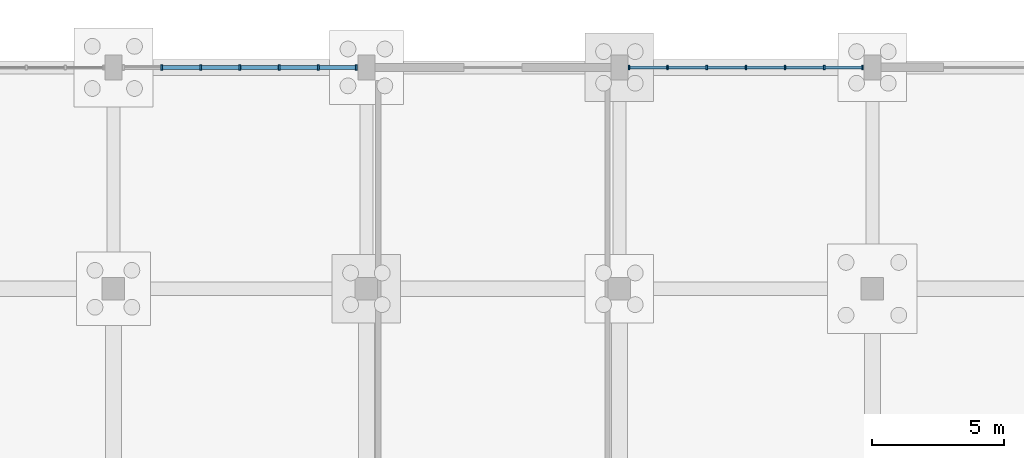
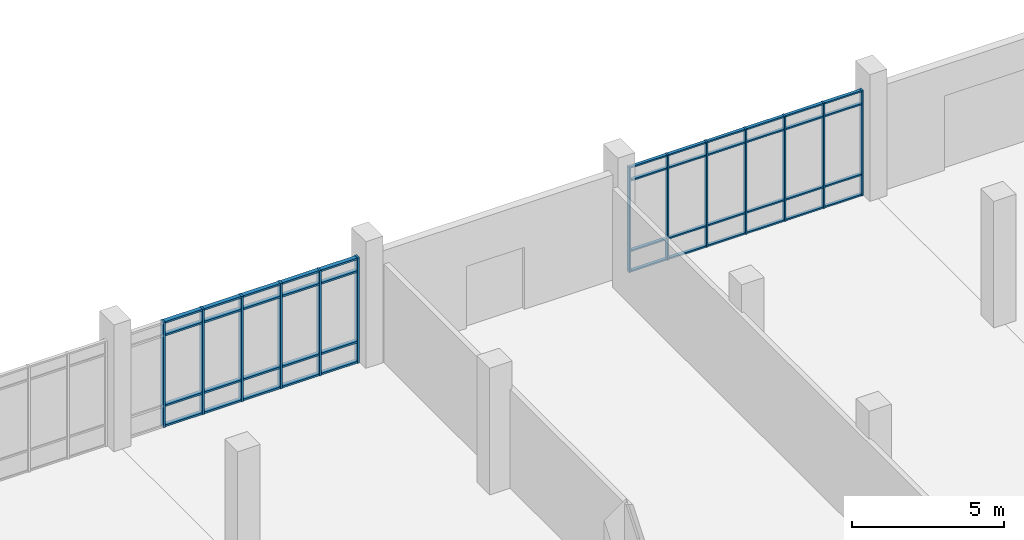
# One storey, part 68 of 136: 57 members, 2 elements without a shape of their own.
"""IFC4 building model written with IfcOpenShell, lengths in metres."""

from ifc_helpers import new_model, si_unit, direction, frame, origin, origin_2d, place, context, subcontext, project, spatial, rectangle, extrude, material, material_profile, profile_set, type_object, element, aggregate, save


model = new_model("IFC4")

# Units and contexts
model_context = context("Model", 3, precision=1e-05, world=origin(), true_north=direction((0.0, 1.0)))
body_context = subcontext(model_context, "Body", "Model", "MODEL_VIEW")
ifc_project = project(units=[si_unit("LENGTHUNIT", "METRE"), si_unit("AREAUNIT", "SQUARE_METRE"), si_unit("VOLUMEUNIT", "CUBIC_METRE"), si_unit("PLANEANGLEUNIT", "RADIAN"), si_unit("MASSUNIT", "GRAM", prefix="KILO")], contexts=[model_context])

# Site, building, storey
site_placement = place(None, origin())
site = spatial("IfcSite", under=ifc_project, at=site_placement, CompositionType="ELEMENT")
building_placement = place(site_placement, origin())
building = spatial("IfcBuilding", under=site, at=building_placement, Name="Oolite Switchyard Hospital", CompositionType="ELEMENT")
storey_placement = place(building_placement, origin())
storey = spatial("IfcBuildingStorey", under=building, at=storey_placement, Name="L00", CompositionType="ELEMENT", Elevation=0.0)

# Curtain wall, members
ifc_material_1 = material(Name="Thermally broken aluminum frame with laminated impact glazing", Category="aluminium")
curtain_wall_type = type_object("IfcCurtainWallType", Name="CW-UNIT-96X51", PredefinedType="USERDEFINED", material=ifc_material_1)
curtain_wall_1_placement = place(storey_placement, origin())
curtain_wall_1 = element("IfcCurtainWall", 1, at=curtain_wall_1_placement, inside=storey, type_object=curtain_wall_type, Name="L00 Unitised Curtain Wall 48", ObjectType="UNITISED", PredefinedType="USERDEFINED")
ifc_material_2 = material(Name="Aluminium 6063-T6", Category="aluminium")
ifc_material_profile_1 = material_profile(ifc_material_2, rectangle(XDim=0.159912109375, YDim=0.06005859375, at=origin_2d()), Name="CWM60X160")
ifc_profile_set_1 = profile_set([ifc_material_profile_1], Name="Aluminium 6063-T6")
member_type_1 = type_object("IfcMemberType", Name="CW-MUL-180", PredefinedType="MULLION", material=ifc_profile_set_1)
member_1_placement = place(storey_placement, frame((48.3701171875, 134.39990234375, 0.0), z_axis=(0.0, 0.0, 1.0), x_axis=(0.0, 1.0, 0.0)))
member_1 = element("IfcMember", 2, at=member_1_placement, type_object=member_type_1, Name="CW-01 mullion 1", PredefinedType="MULLION", context=body_context, shape_type="SweptSolid", body=[
    extrude(rectangle(XDim=0.159912109375, YDim=0.06005859375, at=origin_2d()), origin(), (0.0, 0.0, 1.0), 4.239990234375),
])
member_2_placement = place(storey_placement, frame((49.82666015625, 134.39990234375, 0.0), z_axis=(0.0, 0.0, 1.0), x_axis=(0.0, 1.0, 0.0)))
member_2 = element("IfcMember", 3, at=member_2_placement, type_object=member_type_1, Name="CW-01 mullion 2", PredefinedType="MULLION", context=body_context, shape_type="SweptSolid", body=[
    extrude(rectangle(XDim=0.159912109375, YDim=0.06005859375, at=origin_2d()), origin(), (0.0, 0.0, 1.0), 4.239990234375),
])
member_3_placement = place(storey_placement, frame((51.313232421875, 134.39990234375, 0.0), z_axis=(0.0, 0.0, 1.0), x_axis=(0.0, 1.0, 0.0)))
member_3 = element("IfcMember", 4, at=member_3_placement, type_object=member_type_1, Name="CW-01 mullion 3", PredefinedType="MULLION", context=body_context, shape_type="SweptSolid", body=[
    extrude(rectangle(XDim=0.159912109375, YDim=0.06005859375, at=origin_2d()), origin(), (0.0, 0.0, 1.0), 4.239990234375),
])
member_4_placement = place(storey_placement, frame((52.800048828125, 134.39990234375, 0.0), z_axis=(0.0, 0.0, 1.0), x_axis=(0.0, 1.0, 0.0)))
member_4 = element("IfcMember", 5, at=member_4_placement, type_object=member_type_1, Name="CW-01 mullion 4", PredefinedType="MULLION", context=body_context, shape_type="SweptSolid", body=[
    extrude(rectangle(XDim=0.159912109375, YDim=0.06005859375, at=origin_2d()), origin(), (0.0, 0.0, 1.0), 4.239990234375),
])
member_5_placement = place(storey_placement, frame((54.28662109375, 134.39990234375, 0.0), z_axis=(0.0, 0.0, 1.0), x_axis=(0.0, 1.0, 0.0)))
member_5 = element("IfcMember", 6, at=member_5_placement, type_object=member_type_1, Name="CW-01 mullion 5", PredefinedType="MULLION", context=body_context, shape_type="SweptSolid", body=[
    extrude(rectangle(XDim=0.159912109375, YDim=0.06005859375, at=origin_2d()), origin(), (0.0, 0.0, 1.0), 4.239990234375),
])
member_6_placement = place(storey_placement, frame((55.7734375, 134.39990234375, 0.0), z_axis=(0.0, 0.0, 1.0), x_axis=(0.0, 1.0, 0.0)))
member_6 = element("IfcMember", 7, at=member_6_placement, type_object=member_type_1, Name="CW-01 mullion 6", PredefinedType="MULLION", context=body_context, shape_type="SweptSolid", body=[
    extrude(rectangle(XDim=0.159912109375, YDim=0.06005859375, at=origin_2d()), origin(), (0.0, 0.0, 1.0), 4.239990234375),
])
member_7_placement = place(storey_placement, frame((57.22998046875, 134.39990234375, 0.0), z_axis=(0.0, 0.0, 1.0), x_axis=(0.0, 1.0, 0.0)))
member_7 = element("IfcMember", 8, at=member_7_placement, type_object=member_type_1, Name="CW-01 mullion 7", PredefinedType="MULLION", context=body_context, shape_type="SweptSolid", body=[
    extrude(rectangle(XDim=0.159912109375, YDim=0.06005859375, at=origin_2d()), origin(), (0.0, 0.0, 1.0), 4.239990234375),
])

curtain_wall_2_placement = place(storey_placement, origin())
curtain_wall_2 = element("IfcCurtainWall", 9, at=curtain_wall_2_placement, inside=storey, type_object=curtain_wall_type, Name="L00 Unitised Curtain Wall 47", ObjectType="UNITISED", PredefinedType="USERDEFINED")
ifc_material_profile_2 = material_profile(ifc_material_2, rectangle(XDim=0.199951171875, YDim=0.074951171875, at=origin_2d()), Name="CWM75X200")
ifc_profile_set_2 = profile_set([ifc_material_profile_2], Name="Aluminium 6063-T6")
member_type_2 = type_object("IfcMemberType", Name="CW-MUL-260", PredefinedType="MULLION", material=ifc_profile_set_2)
member_8_placement = place(storey_placement, frame((30.626708984375, 134.39990234375, 0.0), z_axis=(0.0, 0.0, 1.0), x_axis=(0.0, 1.0, 0.0)))
member_8 = element("IfcMember", 10, at=member_8_placement, type_object=member_type_2, Name="CW-01 mullion 2", PredefinedType="MULLION", context=body_context, shape_type="SweptSolid", body=[
    extrude(rectangle(XDim=0.199951171875, YDim=0.074951171875, at=origin_2d()), origin(), (0.0, 0.0, 1.0), 4.239990234375),
])
member_9_placement = place(storey_placement, frame((32.11328125, 134.39990234375, 0.0), z_axis=(0.0, 0.0, 1.0), x_axis=(0.0, 1.0, 0.0)))
member_9 = element("IfcMember", 11, at=member_9_placement, type_object=member_type_2, Name="CW-01 mullion 3", PredefinedType="MULLION", context=body_context, shape_type="SweptSolid", body=[
    extrude(rectangle(XDim=0.199951171875, YDim=0.074951171875, at=origin_2d()), origin(), (0.0, 0.0, 1.0), 4.239990234375),
])
member_10_placement = place(storey_placement, frame((33.60009765625, 134.39990234375, 0.0), z_axis=(0.0, 0.0, 1.0), x_axis=(0.0, 1.0, 0.0)))
member_10 = element("IfcMember", 12, at=member_10_placement, type_object=member_type_2, Name="CW-01 mullion 4", PredefinedType="MULLION", context=body_context, shape_type="SweptSolid", body=[
    extrude(rectangle(XDim=0.199951171875, YDim=0.074951171875, at=origin_2d()), origin(), (0.0, 0.0, 1.0), 4.239990234375),
])
member_11_placement = place(storey_placement, frame((35.086669921875, 134.39990234375, 0.0), z_axis=(0.0, 0.0, 1.0), x_axis=(0.0, 1.0, 0.0)))
member_11 = element("IfcMember", 13, at=member_11_placement, type_object=member_type_2, Name="CW-01 mullion 5", PredefinedType="MULLION", context=body_context, shape_type="SweptSolid", body=[
    extrude(rectangle(XDim=0.199951171875, YDim=0.074951171875, at=origin_2d()), origin(), (0.0, 0.0, 1.0), 4.239990234375),
])
member_12_placement = place(storey_placement, frame((36.5732421875, 134.39990234375, 0.0), z_axis=(0.0, 0.0, 1.0), x_axis=(0.0, 1.0, 0.0)))
member_12 = element("IfcMember", 14, at=member_12_placement, type_object=member_type_2, Name="CW-01 mullion 6", PredefinedType="MULLION", context=body_context, shape_type="SweptSolid", body=[
    extrude(rectangle(XDim=0.199951171875, YDim=0.074951171875, at=origin_2d()), origin(), (0.0, 0.0, 1.0), 4.239990234375),
])
member_13_placement = place(storey_placement, frame((38.0224609375, 134.39990234375, 0.0), z_axis=(0.0, 0.0, 1.0), x_axis=(0.0, 1.0, 0.0)))
member_13 = element("IfcMember", 15, at=member_13_placement, type_object=member_type_2, Name="CW-01 mullion 7", PredefinedType="MULLION", context=body_context, shape_type="SweptSolid", body=[
    extrude(rectangle(XDim=0.199951171875, YDim=0.074951171875, at=origin_2d()), origin(), (0.0, 0.0, 1.0), 4.239990234375),
])

# Member
ifc_material_profile_3 = material_profile(ifc_material_2, rectangle(XDim=0.1201171875, YDim=0.06005859375, at=origin_2d()), Name="CWT60X120")
ifc_profile_set_3 = profile_set([ifc_material_profile_3], Name="Aluminium 6063-T6")
member_type_3 = type_object("IfcMemberType", Name="CW-TRN-150", PredefinedType="USERDEFINED", material=ifc_profile_set_3)
member_14_placement = place(storey_placement, frame((48.39990234375, 134.39990234375, 0.030029296875), z_axis=(1.0, 0.0, 0.0), x_axis=(0.0, 1.0, 0.0)))
member_14 = element("IfcMember", 16, at=member_14_placement, type_object=member_type_3, Name="CW-01 transom 1.1", ObjectType="TRANSOM", PredefinedType="USERDEFINED", context=body_context, shape_type="SweptSolid", body=[
    extrude(rectangle(XDim=0.1201171875, YDim=0.06005859375, at=origin_2d()), origin(), (0.0, 0.0, 1.0), 1.396728515625),
])

member_15_placement = place(storey_placement, frame((48.39990234375, 134.39990234375, 0.85009765625), z_axis=(1.0, 0.0, 0.0), x_axis=(0.0, 1.0, 0.0)))
member_15 = element("IfcMember", 17, at=member_15_placement, type_object=member_type_3, Name="CW-01 transom 1.2", ObjectType="TRANSOM", PredefinedType="USERDEFINED", context=body_context, shape_type="SweptSolid", body=[
    extrude(rectangle(XDim=0.1201171875, YDim=0.06005859375, at=origin_2d()), origin(), (0.0, 0.0, 1.0), 1.396728515625),
])

member_16_placement = place(storey_placement, frame((48.39990234375, 134.39990234375, 3.68994140625), z_axis=(1.0, 0.0, 0.0), x_axis=(0.0, 1.0, 0.0)))
member_16 = element("IfcMember", 18, at=member_16_placement, type_object=member_type_3, Name="CW-01 transom 1.3", ObjectType="TRANSOM", PredefinedType="USERDEFINED", context=body_context, shape_type="SweptSolid", body=[
    extrude(rectangle(XDim=0.1201171875, YDim=0.06005859375, at=origin_2d()), origin(), (0.0, 0.0, 1.0), 1.396728515625),
])

member_17_placement = place(storey_placement, frame((48.39990234375, 134.39990234375, 4.2099609375), z_axis=(1.0, 0.0, 0.0), x_axis=(0.0, 1.0, 0.0)))
member_17 = element("IfcMember", 19, at=member_17_placement, type_object=member_type_3, Name="CW-01 transom 1.4", ObjectType="TRANSOM", PredefinedType="USERDEFINED", context=body_context, shape_type="SweptSolid", body=[
    extrude(rectangle(XDim=0.1201171875, YDim=0.06005859375, at=origin_2d()), origin(), (0.0, 0.0, 1.0), 1.396728515625),
])

member_18_placement = place(storey_placement, frame((49.856689453125, 134.39990234375, 0.030029296875), z_axis=(1.0, 0.0, 0.0), x_axis=(0.0, 1.0, 0.0)))
member_18 = element("IfcMember", 20, at=member_18_placement, type_object=member_type_3, Name="CW-01 transom 2.1", ObjectType="TRANSOM", PredefinedType="USERDEFINED", context=body_context, shape_type="SweptSolid", body=[
    extrude(rectangle(XDim=0.1201171875, YDim=0.06005859375, at=origin_2d()), origin(), (0.0, 0.0, 1.0), 1.4267578125),
])

member_19_placement = place(storey_placement, frame((49.856689453125, 134.39990234375, 0.85009765625), z_axis=(1.0, 0.0, 0.0), x_axis=(0.0, 1.0, 0.0)))
member_19 = element("IfcMember", 21, at=member_19_placement, type_object=member_type_3, Name="CW-01 transom 2.2", ObjectType="TRANSOM", PredefinedType="USERDEFINED", context=body_context, shape_type="SweptSolid", body=[
    extrude(rectangle(XDim=0.1201171875, YDim=0.06005859375, at=origin_2d()), origin(), (0.0, 0.0, 1.0), 1.4267578125),
])

member_20_placement = place(storey_placement, frame((49.856689453125, 134.39990234375, 3.68994140625), z_axis=(1.0, 0.0, 0.0), x_axis=(0.0, 1.0, 0.0)))
member_20 = element("IfcMember", 22, at=member_20_placement, type_object=member_type_3, Name="CW-01 transom 2.3", ObjectType="TRANSOM", PredefinedType="USERDEFINED", context=body_context, shape_type="SweptSolid", body=[
    extrude(rectangle(XDim=0.1201171875, YDim=0.06005859375, at=origin_2d()), origin(), (0.0, 0.0, 1.0), 1.4267578125),
])

member_21_placement = place(storey_placement, frame((49.856689453125, 134.39990234375, 4.2099609375), z_axis=(1.0, 0.0, 0.0), x_axis=(0.0, 1.0, 0.0)))
member_21 = element("IfcMember", 23, at=member_21_placement, type_object=member_type_3, Name="CW-01 transom 2.4", ObjectType="TRANSOM", PredefinedType="USERDEFINED", context=body_context, shape_type="SweptSolid", body=[
    extrude(rectangle(XDim=0.1201171875, YDim=0.06005859375, at=origin_2d()), origin(), (0.0, 0.0, 1.0), 1.4267578125),
])

member_22_placement = place(storey_placement, frame((51.34326171875, 134.39990234375, 0.030029296875), z_axis=(1.0, 0.0, 0.0), x_axis=(0.0, 1.0, 0.0)))
member_22 = element("IfcMember", 24, at=member_22_placement, type_object=member_type_3, Name="CW-01 transom 3.1", ObjectType="TRANSOM", PredefinedType="USERDEFINED", context=body_context, shape_type="SweptSolid", body=[
    extrude(rectangle(XDim=0.1201171875, YDim=0.06005859375, at=origin_2d()), origin(), (0.0, 0.0, 1.0), 1.4267578125),
])

member_23_placement = place(storey_placement, frame((51.34326171875, 134.39990234375, 0.85009765625), z_axis=(1.0, 0.0, 0.0), x_axis=(0.0, 1.0, 0.0)))
member_23 = element("IfcMember", 25, at=member_23_placement, type_object=member_type_3, Name="CW-01 transom 3.2", ObjectType="TRANSOM", PredefinedType="USERDEFINED", context=body_context, shape_type="SweptSolid", body=[
    extrude(rectangle(XDim=0.1201171875, YDim=0.06005859375, at=origin_2d()), origin(), (0.0, 0.0, 1.0), 1.4267578125),
])

member_24_placement = place(storey_placement, frame((51.34326171875, 134.39990234375, 3.68994140625), z_axis=(1.0, 0.0, 0.0), x_axis=(0.0, 1.0, 0.0)))
member_24 = element("IfcMember", 26, at=member_24_placement, type_object=member_type_3, Name="CW-01 transom 3.3", ObjectType="TRANSOM", PredefinedType="USERDEFINED", context=body_context, shape_type="SweptSolid", body=[
    extrude(rectangle(XDim=0.1201171875, YDim=0.06005859375, at=origin_2d()), origin(), (0.0, 0.0, 1.0), 1.4267578125),
])

member_25_placement = place(storey_placement, frame((51.34326171875, 134.39990234375, 4.2099609375), z_axis=(1.0, 0.0, 0.0), x_axis=(0.0, 1.0, 0.0)))
member_25 = element("IfcMember", 27, at=member_25_placement, type_object=member_type_3, Name="CW-01 transom 3.4", ObjectType="TRANSOM", PredefinedType="USERDEFINED", context=body_context, shape_type="SweptSolid", body=[
    extrude(rectangle(XDim=0.1201171875, YDim=0.06005859375, at=origin_2d()), origin(), (0.0, 0.0, 1.0), 1.4267578125),
])

member_26_placement = place(storey_placement, frame((52.830078125, 134.39990234375, 0.030029296875), z_axis=(1.0, 0.0, 0.0), x_axis=(0.0, 1.0, 0.0)))
member_26 = element("IfcMember", 28, at=member_26_placement, type_object=member_type_3, Name="CW-01 transom 4.1", ObjectType="TRANSOM", PredefinedType="USERDEFINED", context=body_context, shape_type="SweptSolid", body=[
    extrude(rectangle(XDim=0.1201171875, YDim=0.06005859375, at=origin_2d()), origin(), (0.0, 0.0, 1.0), 1.426513671875),
])

member_27_placement = place(storey_placement, frame((52.830078125, 134.39990234375, 0.85009765625), z_axis=(1.0, 0.0, 0.0), x_axis=(0.0, 1.0, 0.0)))
member_27 = element("IfcMember", 29, at=member_27_placement, type_object=member_type_3, Name="CW-01 transom 4.2", ObjectType="TRANSOM", PredefinedType="USERDEFINED", context=body_context, shape_type="SweptSolid", body=[
    extrude(rectangle(XDim=0.1201171875, YDim=0.06005859375, at=origin_2d()), origin(), (0.0, 0.0, 1.0), 1.426513671875),
])

member_28_placement = place(storey_placement, frame((52.830078125, 134.39990234375, 3.68994140625), z_axis=(1.0, 0.0, 0.0), x_axis=(0.0, 1.0, 0.0)))
member_28 = element("IfcMember", 30, at=member_28_placement, type_object=member_type_3, Name="CW-01 transom 4.3", ObjectType="TRANSOM", PredefinedType="USERDEFINED", context=body_context, shape_type="SweptSolid", body=[
    extrude(rectangle(XDim=0.1201171875, YDim=0.06005859375, at=origin_2d()), origin(), (0.0, 0.0, 1.0), 1.426513671875),
])

member_29_placement = place(storey_placement, frame((52.830078125, 134.39990234375, 4.2099609375), z_axis=(1.0, 0.0, 0.0), x_axis=(0.0, 1.0, 0.0)))
member_29 = element("IfcMember", 31, at=member_29_placement, type_object=member_type_3, Name="CW-01 transom 4.4", ObjectType="TRANSOM", PredefinedType="USERDEFINED", context=body_context, shape_type="SweptSolid", body=[
    extrude(rectangle(XDim=0.1201171875, YDim=0.06005859375, at=origin_2d()), origin(), (0.0, 0.0, 1.0), 1.426513671875),
])

member_30_placement = place(storey_placement, frame((54.316650390625, 134.39990234375, 0.030029296875), z_axis=(1.0, 0.0, 0.0), x_axis=(0.0, 1.0, 0.0)))
member_30 = element("IfcMember", 32, at=member_30_placement, type_object=member_type_3, Name="CW-01 transom 5.1", ObjectType="TRANSOM", PredefinedType="USERDEFINED", context=body_context, shape_type="SweptSolid", body=[
    extrude(rectangle(XDim=0.1201171875, YDim=0.06005859375, at=origin_2d()), origin(), (0.0, 0.0, 1.0), 1.4267578125),
])

member_31_placement = place(storey_placement, frame((54.316650390625, 134.39990234375, 0.85009765625), z_axis=(1.0, 0.0, 0.0), x_axis=(0.0, 1.0, 0.0)))
member_31 = element("IfcMember", 33, at=member_31_placement, type_object=member_type_3, Name="CW-01 transom 5.2", ObjectType="TRANSOM", PredefinedType="USERDEFINED", context=body_context, shape_type="SweptSolid", body=[
    extrude(rectangle(XDim=0.1201171875, YDim=0.06005859375, at=origin_2d()), origin(), (0.0, 0.0, 1.0), 1.4267578125),
])

member_32_placement = place(storey_placement, frame((54.316650390625, 134.39990234375, 3.68994140625), z_axis=(1.0, 0.0, 0.0), x_axis=(0.0, 1.0, 0.0)))
member_32 = element("IfcMember", 34, at=member_32_placement, type_object=member_type_3, Name="CW-01 transom 5.3", ObjectType="TRANSOM", PredefinedType="USERDEFINED", context=body_context, shape_type="SweptSolid", body=[
    extrude(rectangle(XDim=0.1201171875, YDim=0.06005859375, at=origin_2d()), origin(), (0.0, 0.0, 1.0), 1.4267578125),
])

member_33_placement = place(storey_placement, frame((54.316650390625, 134.39990234375, 4.2099609375), z_axis=(1.0, 0.0, 0.0), x_axis=(0.0, 1.0, 0.0)))
member_33 = element("IfcMember", 35, at=member_33_placement, type_object=member_type_3, Name="CW-01 transom 5.4", ObjectType="TRANSOM", PredefinedType="USERDEFINED", context=body_context, shape_type="SweptSolid", body=[
    extrude(rectangle(XDim=0.1201171875, YDim=0.06005859375, at=origin_2d()), origin(), (0.0, 0.0, 1.0), 1.4267578125),
])

member_34_placement = place(storey_placement, frame((55.80322265625, 134.39990234375, 0.030029296875), z_axis=(1.0, 0.0, 0.0), x_axis=(0.0, 1.0, 0.0)))
member_34 = element("IfcMember", 36, at=member_34_placement, type_object=member_type_3, Name="CW-01 transom 6.1", ObjectType="TRANSOM", PredefinedType="USERDEFINED", context=body_context, shape_type="SweptSolid", body=[
    extrude(rectangle(XDim=0.1201171875, YDim=0.06005859375, at=origin_2d()), origin(), (0.0, 0.0, 1.0), 1.396728515625),
])

member_35_placement = place(storey_placement, frame((55.80322265625, 134.39990234375, 0.85009765625), z_axis=(1.0, 0.0, 0.0), x_axis=(0.0, 1.0, 0.0)))
member_35 = element("IfcMember", 37, at=member_35_placement, type_object=member_type_3, Name="CW-01 transom 6.2", ObjectType="TRANSOM", PredefinedType="USERDEFINED", context=body_context, shape_type="SweptSolid", body=[
    extrude(rectangle(XDim=0.1201171875, YDim=0.06005859375, at=origin_2d()), origin(), (0.0, 0.0, 1.0), 1.396728515625),
])

member_36_placement = place(storey_placement, frame((55.80322265625, 134.39990234375, 3.68994140625), z_axis=(1.0, 0.0, 0.0), x_axis=(0.0, 1.0, 0.0)))
member_36 = element("IfcMember", 38, at=member_36_placement, type_object=member_type_3, Name="CW-01 transom 6.3", ObjectType="TRANSOM", PredefinedType="USERDEFINED", context=body_context, shape_type="SweptSolid", body=[
    extrude(rectangle(XDim=0.1201171875, YDim=0.06005859375, at=origin_2d()), origin(), (0.0, 0.0, 1.0), 1.396728515625),
])

member_37_placement = place(storey_placement, frame((55.80322265625, 134.39990234375, 4.2099609375), z_axis=(1.0, 0.0, 0.0), x_axis=(0.0, 1.0, 0.0)))
member_37 = element("IfcMember", 39, at=member_37_placement, type_object=member_type_3, Name="CW-01 transom 6.4", ObjectType="TRANSOM", PredefinedType="USERDEFINED", context=body_context, shape_type="SweptSolid", body=[
    extrude(rectangle(XDim=0.1201171875, YDim=0.06005859375, at=origin_2d()), origin(), (0.0, 0.0, 1.0), 1.396728515625),
])

aggregate(curtain_wall_1, [member_1, member_2, member_3, member_4, member_5, member_6, member_7, member_14, member_15, member_16, member_17, member_18, member_19, member_20, member_21, member_22, member_23, member_24, member_25, member_26, member_27, member_28, member_29, member_30, member_31, member_32, member_33, member_34, member_35, member_36, member_37])

ifc_material_profile_4 = material_profile(ifc_material_2, rectangle(XDim=0.159912109375, YDim=0.074951171875, at=origin_2d()), Name="CWT75X160")
ifc_profile_set_4 = profile_set([ifc_material_profile_4], Name="Aluminium 6063-T6")
member_type_4 = type_object("IfcMemberType", Name="CW-TRN-180", PredefinedType="USERDEFINED", material=ifc_profile_set_4)
member_38_placement = place(storey_placement, frame((30.6640625, 134.39990234375, 0.03759765625), z_axis=(1.0, 0.0, 0.0), x_axis=(0.0, 1.0, 0.0)))
member_38 = element("IfcMember", 40, at=member_38_placement, type_object=member_type_4, Name="CW-01 transom 2.1", ObjectType="TRANSOM", PredefinedType="USERDEFINED", context=body_context, shape_type="SweptSolid", body=[
    extrude(rectangle(XDim=0.159912109375, YDim=0.074951171875, at=origin_2d()), origin(), (0.0, 0.0, 1.0), 1.411865234375),
])

member_39_placement = place(storey_placement, frame((30.6640625, 134.39990234375, 0.85009765625), z_axis=(1.0, 0.0, 0.0), x_axis=(0.0, 1.0, 0.0)))
member_39 = element("IfcMember", 41, at=member_39_placement, type_object=member_type_4, Name="CW-01 transom 2.2", ObjectType="TRANSOM", PredefinedType="USERDEFINED", context=body_context, shape_type="SweptSolid", body=[
    extrude(rectangle(XDim=0.159912109375, YDim=0.074951171875, at=origin_2d()), origin(), (0.0, 0.0, 1.0), 1.411865234375),
])

member_40_placement = place(storey_placement, frame((30.6640625, 134.39990234375, 3.68994140625), z_axis=(1.0, 0.0, 0.0), x_axis=(0.0, 1.0, 0.0)))
member_40 = element("IfcMember", 42, at=member_40_placement, type_object=member_type_4, Name="CW-01 transom 2.3", ObjectType="TRANSOM", PredefinedType="USERDEFINED", context=body_context, shape_type="SweptSolid", body=[
    extrude(rectangle(XDim=0.159912109375, YDim=0.074951171875, at=origin_2d()), origin(), (0.0, 0.0, 1.0), 1.411865234375),
])

member_41_placement = place(storey_placement, frame((30.6640625, 134.39990234375, 4.202392578125), z_axis=(1.0, 0.0, 0.0), x_axis=(0.0, 1.0, 0.0)))
member_41 = element("IfcMember", 43, at=member_41_placement, type_object=member_type_4, Name="CW-01 transom 2.4", ObjectType="TRANSOM", PredefinedType="USERDEFINED", context=body_context, shape_type="SweptSolid", body=[
    extrude(rectangle(XDim=0.159912109375, YDim=0.074951171875, at=origin_2d()), origin(), (0.0, 0.0, 1.0), 1.411865234375),
])

member_42_placement = place(storey_placement, frame((32.15087890625, 134.39990234375, 0.03759765625), z_axis=(1.0, 0.0, 0.0), x_axis=(0.0, 1.0, 0.0)))
member_42 = element("IfcMember", 44, at=member_42_placement, type_object=member_type_4, Name="CW-01 transom 3.1", ObjectType="TRANSOM", PredefinedType="USERDEFINED", context=body_context, shape_type="SweptSolid", body=[
    extrude(rectangle(XDim=0.159912109375, YDim=0.074951171875, at=origin_2d()), origin(), (0.0, 0.0, 1.0), 1.41162109375),
])

member_43_placement = place(storey_placement, frame((32.15087890625, 134.39990234375, 0.85009765625), z_axis=(1.0, 0.0, 0.0), x_axis=(0.0, 1.0, 0.0)))
member_43 = element("IfcMember", 45, at=member_43_placement, type_object=member_type_4, Name="CW-01 transom 3.2", ObjectType="TRANSOM", PredefinedType="USERDEFINED", context=body_context, shape_type="SweptSolid", body=[
    extrude(rectangle(XDim=0.159912109375, YDim=0.074951171875, at=origin_2d()), origin(), (0.0, 0.0, 1.0), 1.41162109375),
])

member_44_placement = place(storey_placement, frame((32.15087890625, 134.39990234375, 3.68994140625), z_axis=(1.0, 0.0, 0.0), x_axis=(0.0, 1.0, 0.0)))
member_44 = element("IfcMember", 46, at=member_44_placement, type_object=member_type_4, Name="CW-01 transom 3.3", ObjectType="TRANSOM", PredefinedType="USERDEFINED", context=body_context, shape_type="SweptSolid", body=[
    extrude(rectangle(XDim=0.159912109375, YDim=0.074951171875, at=origin_2d()), origin(), (0.0, 0.0, 1.0), 1.41162109375),
])

member_45_placement = place(storey_placement, frame((32.15087890625, 134.39990234375, 4.202392578125), z_axis=(1.0, 0.0, 0.0), x_axis=(0.0, 1.0, 0.0)))
member_45 = element("IfcMember", 47, at=member_45_placement, type_object=member_type_4, Name="CW-01 transom 3.4", ObjectType="TRANSOM", PredefinedType="USERDEFINED", context=body_context, shape_type="SweptSolid", body=[
    extrude(rectangle(XDim=0.159912109375, YDim=0.074951171875, at=origin_2d()), origin(), (0.0, 0.0, 1.0), 1.41162109375),
])

member_46_placement = place(storey_placement, frame((33.637451171875, 134.39990234375, 0.03759765625), z_axis=(1.0, 0.0, 0.0), x_axis=(0.0, 1.0, 0.0)))
member_46 = element("IfcMember", 48, at=member_46_placement, type_object=member_type_4, Name="CW-01 transom 4.1", ObjectType="TRANSOM", PredefinedType="USERDEFINED", context=body_context, shape_type="SweptSolid", body=[
    extrude(rectangle(XDim=0.159912109375, YDim=0.074951171875, at=origin_2d()), origin(), (0.0, 0.0, 1.0), 1.41162109375),
])

member_47_placement = place(storey_placement, frame((33.637451171875, 134.39990234375, 0.85009765625), z_axis=(1.0, 0.0, 0.0), x_axis=(0.0, 1.0, 0.0)))
member_47 = element("IfcMember", 49, at=member_47_placement, type_object=member_type_4, Name="CW-01 transom 4.2", ObjectType="TRANSOM", PredefinedType="USERDEFINED", context=body_context, shape_type="SweptSolid", body=[
    extrude(rectangle(XDim=0.159912109375, YDim=0.074951171875, at=origin_2d()), origin(), (0.0, 0.0, 1.0), 1.41162109375),
])

member_48_placement = place(storey_placement, frame((33.637451171875, 134.39990234375, 3.68994140625), z_axis=(1.0, 0.0, 0.0), x_axis=(0.0, 1.0, 0.0)))
member_48 = element("IfcMember", 50, at=member_48_placement, type_object=member_type_4, Name="CW-01 transom 4.3", ObjectType="TRANSOM", PredefinedType="USERDEFINED", context=body_context, shape_type="SweptSolid", body=[
    extrude(rectangle(XDim=0.159912109375, YDim=0.074951171875, at=origin_2d()), origin(), (0.0, 0.0, 1.0), 1.41162109375),
])

member_49_placement = place(storey_placement, frame((33.637451171875, 134.39990234375, 4.202392578125), z_axis=(1.0, 0.0, 0.0), x_axis=(0.0, 1.0, 0.0)))
member_49 = element("IfcMember", 51, at=member_49_placement, type_object=member_type_4, Name="CW-01 transom 4.4", ObjectType="TRANSOM", PredefinedType="USERDEFINED", context=body_context, shape_type="SweptSolid", body=[
    extrude(rectangle(XDim=0.159912109375, YDim=0.074951171875, at=origin_2d()), origin(), (0.0, 0.0, 1.0), 1.41162109375),
])

member_50_placement = place(storey_placement, frame((35.124267578125, 134.39990234375, 0.03759765625), z_axis=(1.0, 0.0, 0.0), x_axis=(0.0, 1.0, 0.0)))
member_50 = element("IfcMember", 52, at=member_50_placement, type_object=member_type_4, Name="CW-01 transom 5.1", ObjectType="TRANSOM", PredefinedType="USERDEFINED", context=body_context, shape_type="SweptSolid", body=[
    extrude(rectangle(XDim=0.159912109375, YDim=0.074951171875, at=origin_2d()), origin(), (0.0, 0.0, 1.0), 1.41162109375),
])

member_51_placement = place(storey_placement, frame((35.124267578125, 134.39990234375, 0.85009765625), z_axis=(1.0, 0.0, 0.0), x_axis=(0.0, 1.0, 0.0)))
member_51 = element("IfcMember", 53, at=member_51_placement, type_object=member_type_4, Name="CW-01 transom 5.2", ObjectType="TRANSOM", PredefinedType="USERDEFINED", context=body_context, shape_type="SweptSolid", body=[
    extrude(rectangle(XDim=0.159912109375, YDim=0.074951171875, at=origin_2d()), origin(), (0.0, 0.0, 1.0), 1.41162109375),
])

member_52_placement = place(storey_placement, frame((35.124267578125, 134.39990234375, 3.68994140625), z_axis=(1.0, 0.0, 0.0), x_axis=(0.0, 1.0, 0.0)))
member_52 = element("IfcMember", 54, at=member_52_placement, type_object=member_type_4, Name="CW-01 transom 5.3", ObjectType="TRANSOM", PredefinedType="USERDEFINED", context=body_context, shape_type="SweptSolid", body=[
    extrude(rectangle(XDim=0.159912109375, YDim=0.074951171875, at=origin_2d()), origin(), (0.0, 0.0, 1.0), 1.41162109375),
])

member_53_placement = place(storey_placement, frame((35.124267578125, 134.39990234375, 4.202392578125), z_axis=(1.0, 0.0, 0.0), x_axis=(0.0, 1.0, 0.0)))
member_53 = element("IfcMember", 55, at=member_53_placement, type_object=member_type_4, Name="CW-01 transom 5.4", ObjectType="TRANSOM", PredefinedType="USERDEFINED", context=body_context, shape_type="SweptSolid", body=[
    extrude(rectangle(XDim=0.159912109375, YDim=0.074951171875, at=origin_2d()), origin(), (0.0, 0.0, 1.0), 1.41162109375),
])

member_54_placement = place(storey_placement, frame((36.61083984375, 134.39990234375, 0.03759765625), z_axis=(1.0, 0.0, 0.0), x_axis=(0.0, 1.0, 0.0)))
member_54 = element("IfcMember", 56, at=member_54_placement, type_object=member_type_4, Name="CW-01 transom 6.1", ObjectType="TRANSOM", PredefinedType="USERDEFINED", context=body_context, shape_type="SweptSolid", body=[
    extrude(rectangle(XDim=0.159912109375, YDim=0.074951171875, at=origin_2d()), origin(), (0.0, 0.0, 1.0), 1.374267578125),
])

member_55_placement = place(storey_placement, frame((36.61083984375, 134.39990234375, 0.85009765625), z_axis=(1.0, 0.0, 0.0), x_axis=(0.0, 1.0, 0.0)))
member_55 = element("IfcMember", 57, at=member_55_placement, type_object=member_type_4, Name="CW-01 transom 6.2", ObjectType="TRANSOM", PredefinedType="USERDEFINED", context=body_context, shape_type="SweptSolid", body=[
    extrude(rectangle(XDim=0.159912109375, YDim=0.074951171875, at=origin_2d()), origin(), (0.0, 0.0, 1.0), 1.374267578125),
])

member_56_placement = place(storey_placement, frame((36.61083984375, 134.39990234375, 3.68994140625), z_axis=(1.0, 0.0, 0.0), x_axis=(0.0, 1.0, 0.0)))
member_56 = element("IfcMember", 58, at=member_56_placement, type_object=member_type_4, Name="CW-01 transom 6.3", ObjectType="TRANSOM", PredefinedType="USERDEFINED", context=body_context, shape_type="SweptSolid", body=[
    extrude(rectangle(XDim=0.159912109375, YDim=0.074951171875, at=origin_2d()), origin(), (0.0, 0.0, 1.0), 1.374267578125),
])

member_57_placement = place(storey_placement, frame((36.61083984375, 134.39990234375, 4.202392578125), z_axis=(1.0, 0.0, 0.0), x_axis=(0.0, 1.0, 0.0)))
member_57 = element("IfcMember", 59, at=member_57_placement, type_object=member_type_4, Name="CW-01 transom 6.4", ObjectType="TRANSOM", PredefinedType="USERDEFINED", context=body_context, shape_type="SweptSolid", body=[
    extrude(rectangle(XDim=0.159912109375, YDim=0.074951171875, at=origin_2d()), origin(), (0.0, 0.0, 1.0), 1.374267578125),
])

aggregate(curtain_wall_2, [member_8, member_9, member_10, member_11, member_12, member_13, member_38, member_39, member_40, member_41, member_42, member_43, member_44, member_45, member_46, member_47, member_48, member_49, member_50, member_51, member_52, member_53, member_54, member_55, member_56, member_57])

save(model, "model.ifc")
